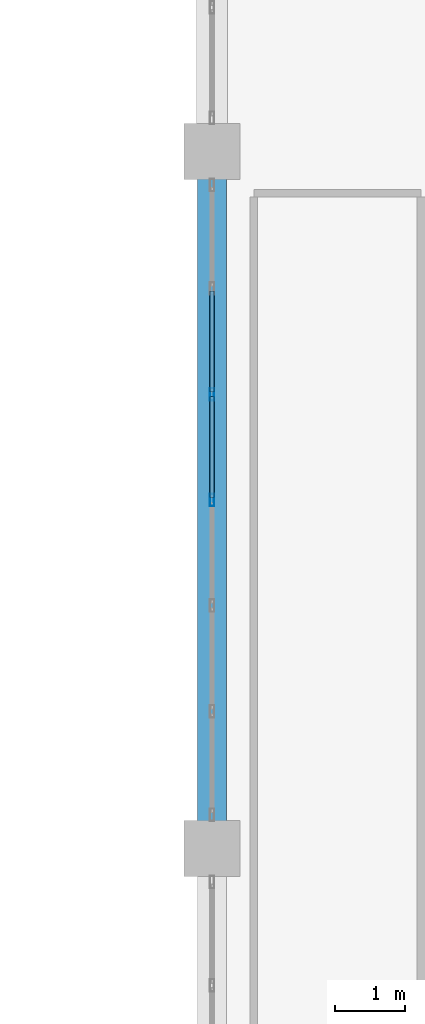
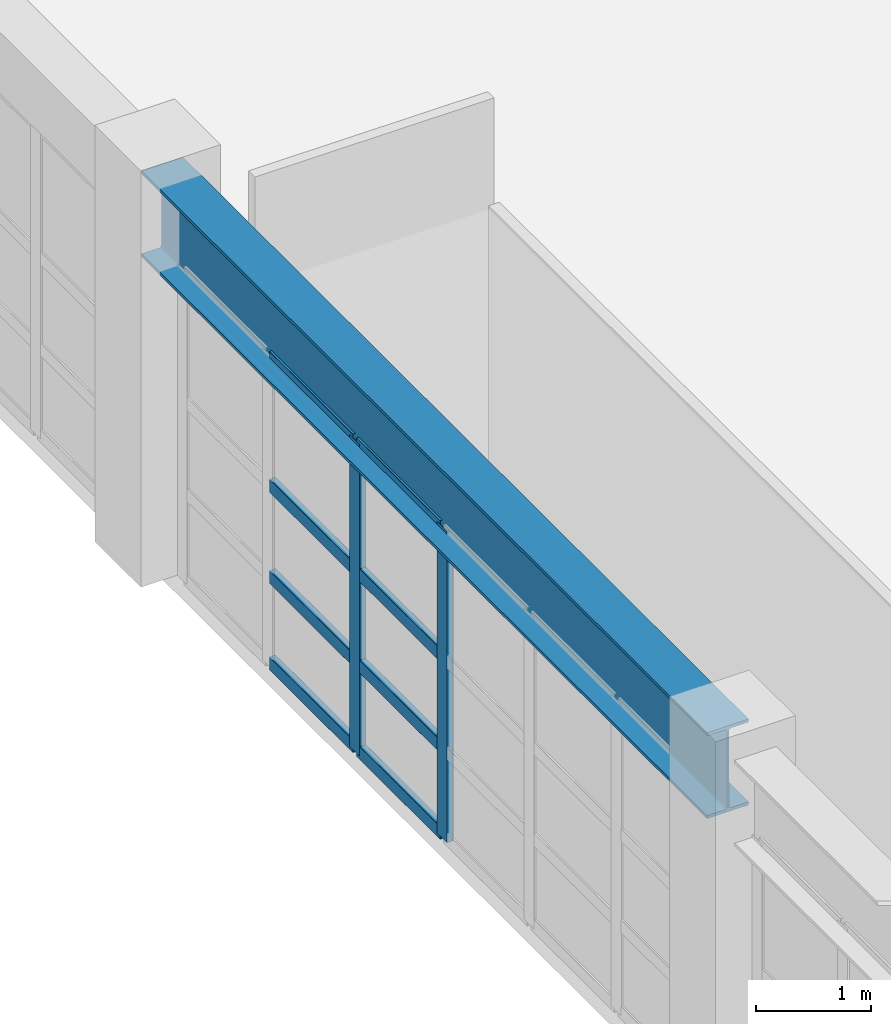
# One storey, part 41 of 133: 10 members, 1 beam, 1 element without a shape of its own.
"""IFC4 building model written with IfcOpenShell, lengths in metres."""

from ifc_helpers import new_model, si_unit, direction, frame, origin, origin_2d, place, context, subcontext, project, spatial, hollow_rectangle, i_section, extrude, material, material_profile, profile_set, type_object, element, aggregate, save


model = new_model("IFC4")

# Units and contexts
model_context = context("Model", 3, precision=1e-05, world=origin(), true_north=direction((0.0, 1.0)))
body_context = subcontext(model_context, "Body", "Model", "MODEL_VIEW")
ifc_project = project(units=[si_unit("LENGTHUNIT", "METRE"), si_unit("AREAUNIT", "SQUARE_METRE"), si_unit("VOLUMEUNIT", "CUBIC_METRE"), si_unit("PLANEANGLEUNIT", "RADIAN"), si_unit("MASSUNIT", "GRAM", prefix="KILO")], contexts=[model_context])

# Site, building, storey
site_placement = place(None, origin())
site = spatial("IfcSite", under=ifc_project, at=site_placement, CompositionType="ELEMENT")
building_placement = place(site_placement, origin())
building = spatial("IfcBuilding", under=site, at=building_placement, Name="Miravela Opera House", CompositionType="ELEMENT")
storey_placement = place(building_placement, frame((0.0, 0.0, 5.10009765625)))
storey = spatial("IfcBuildingStorey", under=building, at=storey_placement, Name="L01", CompositionType="ELEMENT", Elevation=5.10009765625)

# Curtain wall, members
ifc_material_1 = material(Name="Anodised architectural bronze aluminium 6063-T6", Category="aluminium")
curtain_wall_type = type_object("IfcCurtainWallType", Name="ARC-CW-01", PredefinedType="NOTDEFINED", material=ifc_material_1)
curtain_wall_placement = place(storey_placement, origin())
curtain_wall = element("IfcCurtainWall", 1, at=curtain_wall_placement, inside=storey, type_object=curtain_wall_type, Name="West Foyer Upper Recessed Glazing CW-L01-005", PredefinedType="NOTDEFINED")
ifc_material_profile_1 = material_profile(ifc_material_1, hollow_rectangle(XDim=0.06494140625, YDim=0.179931640625, WallThickness=0.00390625, InnerFilletRadius=0.001953125, OuterFilletRadius=0.00390625, at=origin_2d()), Name="CWM-65X180")
ifc_profile_set_1 = profile_set([ifc_material_profile_1])
member_type_1 = type_object("IfcMemberType", Name="ARC-CWM-180", PredefinedType="MULLION", material=ifc_profile_set_1)
member_1_placement = place(storey_placement, frame((27.0, 61.0, 0.0), z_axis=(0.0, 0.0, 1.0), x_axis=(-1.0, 0.0, 0.0)))
member_1 = element("IfcMember", 2, at=member_1_placement, type_object=member_type_1, Name="CW-01 mullion 4", PredefinedType="MULLION", context=body_context, shape_type="SweptSolid", body=[
    extrude(hollow_rectangle(XDim=0.06494140625, YDim=0.179931640625, WallThickness=0.00390625, InnerFilletRadius=0.001953125, OuterFilletRadius=0.00390625, at=origin_2d()), origin(), (0.0, 0.0, 1.0), 3.309814453125),
])
member_2_placement = place(storey_placement, frame((27.0, 62.5166015625, 0.0), z_axis=(0.0, 0.0, 1.0), x_axis=(-1.0, 0.0, 0.0)))
member_2 = element("IfcMember", 3, at=member_2_placement, type_object=member_type_1, Name="CW-01 mullion 5", PredefinedType="MULLION", context=body_context, shape_type="SweptSolid", body=[
    extrude(hollow_rectangle(XDim=0.06494140625, YDim=0.179931640625, WallThickness=0.00390625, InnerFilletRadius=0.001953125, OuterFilletRadius=0.00390625, at=origin_2d()), origin(), (0.0, 0.0, 1.0), 3.309814453125),
])
ifc_material_profile_2 = material_profile(ifc_material_1, hollow_rectangle(XDim=0.06494140625, YDim=0.139892578125, WallThickness=0.00390625, InnerFilletRadius=0.001953125, OuterFilletRadius=0.00390625, at=origin_2d()), Name="CWT-65X140")
ifc_profile_set_2 = profile_set([ifc_material_profile_2])
member_type_2 = type_object("IfcMemberType", Name="ARC-CWT-140", PredefinedType="USERDEFINED", material=ifc_profile_set_2)
member_3_placement = place(storey_placement, frame((27.0, 61.032470703125, 0.032470703125), z_axis=(0.0, 1.0, 0.0), x_axis=(-1.0, 0.0, 0.0)))
member_3 = element("IfcMember", 4, at=member_3_placement, type_object=member_type_2, Name="CW-01 transom 4.1", ObjectType="TRANSOM", PredefinedType="USERDEFINED", context=body_context, shape_type="SweptSolid", body=[
    extrude(hollow_rectangle(XDim=0.06494140625, YDim=0.139892578125, WallThickness=0.00390625, InnerFilletRadius=0.001953125, OuterFilletRadius=0.00390625, at=origin_2d()), origin(), (0.0, 0.0, 1.0), 1.45166015625),
])
member_4_placement = place(storey_placement, frame((27.0, 61.032470703125, 0.949951171875), z_axis=(0.0, 1.0, 0.0), x_axis=(-1.0, 0.0, 0.0)))
member_4 = element("IfcMember", 5, at=member_4_placement, type_object=member_type_2, Name="CW-01 transom 4.2", ObjectType="TRANSOM", PredefinedType="USERDEFINED", context=body_context, shape_type="SweptSolid", body=[
    extrude(hollow_rectangle(XDim=0.06494140625, YDim=0.139892578125, WallThickness=0.00390625, InnerFilletRadius=0.001953125, OuterFilletRadius=0.00390625, at=origin_2d()), origin(), (0.0, 0.0, 1.0), 1.45166015625),
])
member_5_placement = place(storey_placement, frame((27.0, 61.032470703125, 1.919677734375), z_axis=(0.0, 1.0, 0.0), x_axis=(-1.0, 0.0, 0.0)))
member_5 = element("IfcMember", 6, at=member_5_placement, type_object=member_type_2, Name="CW-01 transom 4.3", ObjectType="TRANSOM", PredefinedType="USERDEFINED", context=body_context, shape_type="SweptSolid", body=[
    extrude(hollow_rectangle(XDim=0.06494140625, YDim=0.139892578125, WallThickness=0.00390625, InnerFilletRadius=0.001953125, OuterFilletRadius=0.00390625, at=origin_2d()), origin(), (0.0, 0.0, 1.0), 1.45166015625),
])
member_6_placement = place(storey_placement, frame((27.0, 61.032470703125, 3.27734375), z_axis=(0.0, 1.0, 0.0), x_axis=(-1.0, 0.0, 0.0)))
member_6 = element("IfcMember", 7, at=member_6_placement, type_object=member_type_2, Name="CW-01 transom 4.4", ObjectType="TRANSOM", PredefinedType="USERDEFINED", context=body_context, shape_type="SweptSolid", body=[
    extrude(hollow_rectangle(XDim=0.06494140625, YDim=0.139892578125, WallThickness=0.00390625, InnerFilletRadius=0.001953125, OuterFilletRadius=0.00390625, at=origin_2d()), origin(), (0.0, 0.0, 1.0), 1.45166015625),
])
member_7_placement = place(storey_placement, frame((27.0, 62.549072265625, 0.032470703125), z_axis=(0.0, 1.0, 0.0), x_axis=(-1.0, 0.0, 0.0)))
member_7 = element("IfcMember", 8, at=member_7_placement, type_object=member_type_2, Name="CW-01 transom 5.1", ObjectType="TRANSOM", PredefinedType="USERDEFINED", context=body_context, shape_type="SweptSolid", body=[
    extrude(hollow_rectangle(XDim=0.06494140625, YDim=0.139892578125, WallThickness=0.00390625, InnerFilletRadius=0.001953125, OuterFilletRadius=0.00390625, at=origin_2d()), origin(), (0.0, 0.0, 1.0), 1.45166015625),
])
member_8_placement = place(storey_placement, frame((27.0, 62.549072265625, 0.949951171875), z_axis=(0.0, 1.0, 0.0), x_axis=(-1.0, 0.0, 0.0)))
member_8 = element("IfcMember", 9, at=member_8_placement, type_object=member_type_2, Name="CW-01 transom 5.2", ObjectType="TRANSOM", PredefinedType="USERDEFINED", context=body_context, shape_type="SweptSolid", body=[
    extrude(hollow_rectangle(XDim=0.06494140625, YDim=0.139892578125, WallThickness=0.00390625, InnerFilletRadius=0.001953125, OuterFilletRadius=0.00390625, at=origin_2d()), origin(), (0.0, 0.0, 1.0), 1.45166015625),
])
member_9_placement = place(storey_placement, frame((27.0, 62.549072265625, 1.919677734375), z_axis=(0.0, 1.0, 0.0), x_axis=(-1.0, 0.0, 0.0)))
member_9 = element("IfcMember", 10, at=member_9_placement, type_object=member_type_2, Name="CW-01 transom 5.3", ObjectType="TRANSOM", PredefinedType="USERDEFINED", context=body_context, shape_type="SweptSolid", body=[
    extrude(hollow_rectangle(XDim=0.06494140625, YDim=0.139892578125, WallThickness=0.00390625, InnerFilletRadius=0.001953125, OuterFilletRadius=0.00390625, at=origin_2d()), origin(), (0.0, 0.0, 1.0), 1.45166015625),
])
member_10_placement = place(storey_placement, frame((27.0, 62.549072265625, 3.27734375), z_axis=(0.0, 1.0, 0.0), x_axis=(-1.0, 0.0, 0.0)))
member_10 = element("IfcMember", 11, at=member_10_placement, type_object=member_type_2, Name="CW-01 transom 5.4", ObjectType="TRANSOM", PredefinedType="USERDEFINED", context=body_context, shape_type="SweptSolid", body=[
    extrude(hollow_rectangle(XDim=0.06494140625, YDim=0.139892578125, WallThickness=0.00390625, InnerFilletRadius=0.001953125, OuterFilletRadius=0.00390625, at=origin_2d()), origin(), (0.0, 0.0, 1.0), 1.45166015625),
])
aggregate(curtain_wall, [member_1, member_2, member_3, member_4, member_5, member_6, member_7, member_8, member_9, member_10])

# Beam
ifc_material_2 = material(Name="Structural steel ASTM A992 Gr. 50", Category="steel")
ifc_material_profile_3 = material_profile(ifc_material_2, i_section(OverallWidth=0.41796875, OverallDepth=0.912109375, WebThickness=0.019287109375, FlangeThickness=0.031982421875, FilletRadius=0.02392578125, at=origin_2d()), Name="W920X342")
ifc_profile_set_3 = profile_set([ifc_material_profile_3])
beam_type = type_object("IfcBeamType", Name="STR-BM-W920X342", PredefinedType="BEAM", material=ifc_profile_set_3)
beam_placement = place(storey_placement, frame((27.0, 56.080078125, 3.703857421875), z_axis=(0.0, 1.0, 0.0), x_axis=(-1.0, 0.0, 0.0)))
element("IfcBeam", 12, at=beam_placement, inside=storey, type_object=beam_type, Name="Floor Girder L01 4/G-H", PredefinedType="BEAM", context=body_context, shape_type="SweptSolid", body=[
    extrude(i_section(OverallWidth=0.41796875, OverallDepth=0.912109375, WebThickness=0.019287109375, FlangeThickness=0.031982421875, FilletRadius=0.02392578125, at=origin_2d()), origin(), (0.0, 0.0, 1.0), 9.83984375),
])

save(model, "model.ifc")
